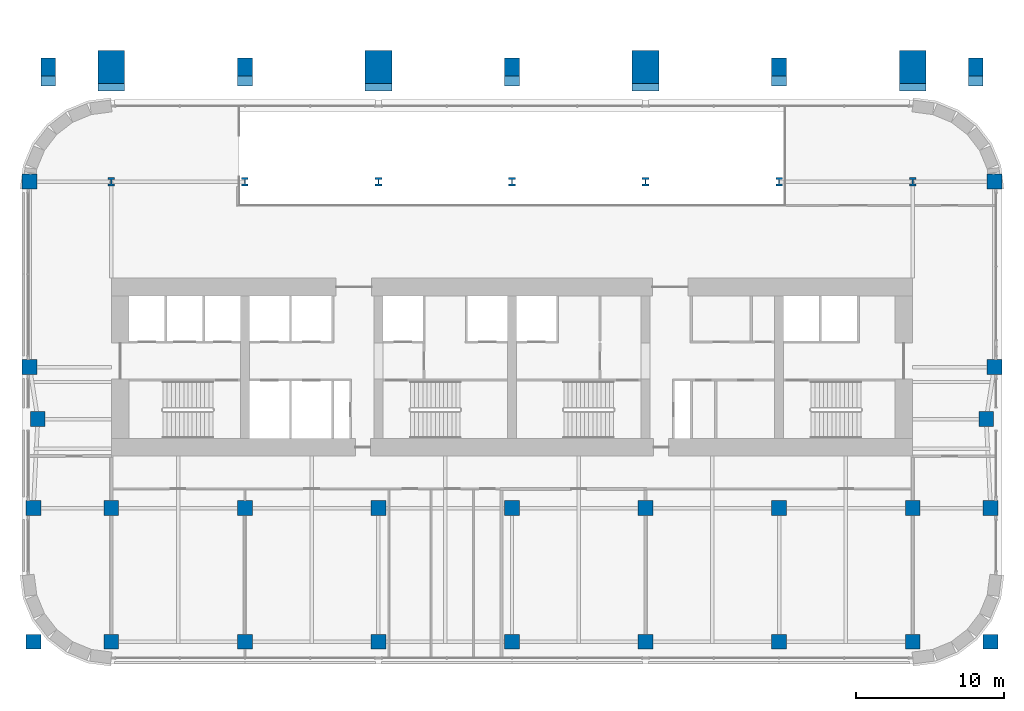
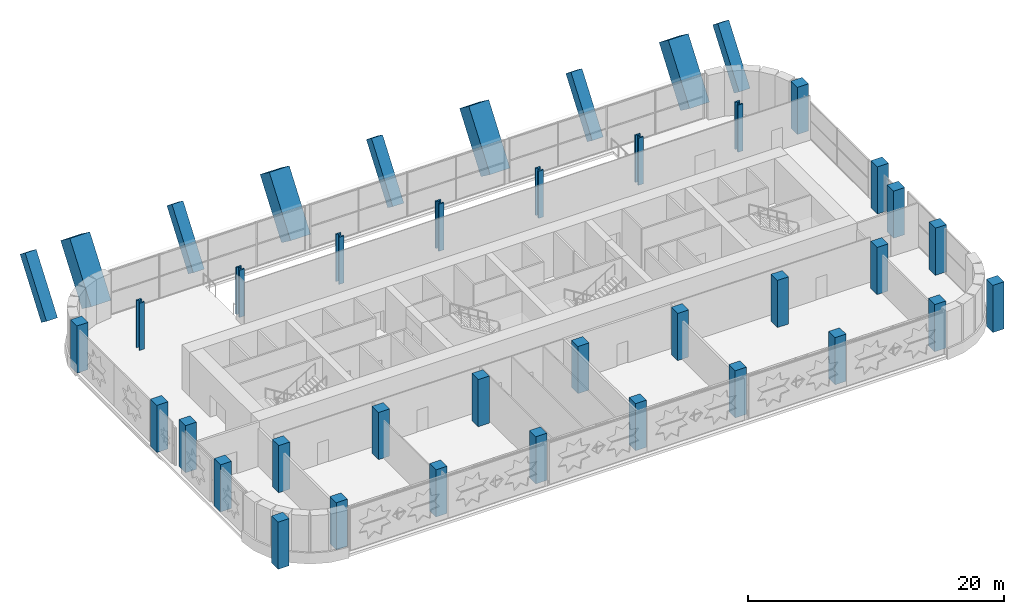
# One storey, part 1 of 21: 40 columns.
"""IFC4 building model written with IfcOpenShell, lengths in metres."""

from ifc_helpers import new_model, si_unit, direction, frame, origin, origin_2d, place, context, subcontext, project, spatial, rectangle, i_section, extrude, material, material_profile, profile_set, type_object, element, save


model = new_model("IFC4")

# Units and contexts
model_context = context("Model", 3, precision=1e-05, world=origin(), true_north=direction((0.0, 1.0)))
body_context = subcontext(model_context, "Body", "Model", "MODEL_VIEW")
ifc_project = project(units=[si_unit("LENGTHUNIT", "METRE"), si_unit("AREAUNIT", "SQUARE_METRE"), si_unit("VOLUMEUNIT", "CUBIC_METRE"), si_unit("PLANEANGLEUNIT", "RADIAN"), si_unit("MASSUNIT", "GRAM", prefix="KILO")], contexts=[model_context])

# Site, building, storey
site_placement = place(None, origin())
site = spatial("IfcSite", under=ifc_project, at=site_placement, CompositionType="ELEMENT")
building_placement = place(site_placement, origin())
building = spatial("IfcBuilding", under=site, at=building_placement, Name="Zellij Exchange Tower", CompositionType="ELEMENT")
storey_placement = place(building_placement, frame((0.0, 0.0, 43.5)))
storey = spatial("IfcBuildingStorey", under=building, at=storey_placement, Name="L07", CompositionType="ELEMENT", Elevation=43.5)

# Columns
ifc_material_1 = material(Name="Concrete C70/85", Category="concrete")
ifc_material_profile_1 = material_profile(ifc_material_1, rectangle(XDim=1.0, YDim=1.0, at=origin_2d()), Name="STR-COLUMN RC1000x1000 C70/85")
ifc_profile_set_1 = profile_set([ifc_material_profile_1], Name="Concrete C70/85")
column_type_1 = type_object("IfcColumnType", Name="STR-COLUMN RC1000x1000 C70/85", PredefinedType="COLUMN", material=ifc_profile_set_1)
for number, where, z_axis, x_axis, name in (
    (1, (-32.25, -26.5, 0.0), (0.0, 0.0, 1.0), (1.0, 0.0, 0.0), "C10"),
    (2, (-27.0, -26.5, 0.0), (0.0, 0.0, 1.0), (1.0, 0.0, 0.0), "C10"),
    (3, (-18.0, -26.5, 0.0), (0.0, 0.0, 1.0), (1.0, 0.0, 0.0), "C10"),
    (4, (-9.0, -26.5, 0.0), (0.0, 0.0, 1.0), (1.0, 0.0, 0.0), "C10"),
    (5, (0.0, -26.5, 0.0), (0.0, 0.0, 1.0), (1.0, 0.0, 0.0), "C10"),
    (6, (9.0, -26.5, 0.0), (0.0, 0.0, 1.0), (1.0, 0.0, 0.0), "C10"),
    (7, (18.0, -26.5, 0.0), (0.0, 0.0, 1.0), (1.0, 0.0, 0.0), "C10"),
    (8, (27.0, -26.5, 0.0), (0.0, 0.0, 1.0), (1.0, 0.0, 0.0), "C10"),
    (9, (32.25, -26.5, 0.0), (0.0, 0.0, 1.0), (1.0, 0.0, 0.0), "C10"),
    (10, (-32.25, -17.5, 0.0), (0.0, 0.0, 1.0), (1.0, 0.0, 0.0), "C10"),
    (11, (-27.0, -17.5, 0.0), (0.0, 0.0, 1.0), (1.0, 0.0, 0.0), "C10"),
    (12, (-18.0, -17.5, 0.0), (0.0, 0.0, 1.0), (1.0, 0.0, 0.0), "C10"),
    (13, (-9.0, -17.5, 0.0), (0.0, 0.0, 1.0), (1.0, 0.0, 0.0), "C10"),
    (14, (0.0, -17.5, 0.0), (0.0, 0.0, 1.0), (1.0, 0.0, 0.0), "C10"),
    (15, (9.0, -17.5, 0.0), (0.0, 0.0, 1.0), (1.0, 0.0, 0.0), "C10"),
    (16, (18.0, -17.5, 0.0), (0.0, 0.0, 1.0), (1.0, 0.0, 0.0), "C10"),
    (17, (27.0, -17.5, 0.0), (0.0, 0.0, 1.0), (1.0, 0.0, 0.0), "C10"),
    (18, (32.25, -17.5, 0.0), (0.0, 0.0, 1.0), (1.0, 0.0, 0.0), "C10"),
    (19, (-31.949951171875, -11.5, 0.0), (0.0, 0.0, 1.0), (1.0, 0.0, 0.0), "C10"),
    (20, (31.949951171875, -11.5, 0.0), (0.0, 0.0, 1.0), (1.0, 0.0, 0.0), "C10"),
    (21, (-32.5, -8.0, 0.0), (0.0, 0.0, 1.0), (1.0, 0.0, 0.0), "C10"),
    (22, (32.5, -8.0, 0.0), (0.0, 0.0, 1.0), (1.0, 0.0, 0.0), "C10"),
    (23, (-32.5, 4.5, 0.0), (0.0, 0.0, 1.0), (1.0, 0.0, 0.0), "C10"),
    (24, (32.5, 4.5, 0.0), (0.0, 0.0, 1.0), (1.0, 0.0, 0.0), "C10"),
):
    element("IfcColumn", number, at=place(storey_placement, frame(where, z_axis=z_axis, x_axis=x_axis)), inside=storey, type_object=column_type_1, Name=name, PredefinedType="COLUMN", context=body_context, shape_type="SweptSolid", body=[
        extrude(rectangle(XDim=1.0, YDim=1.0, at=origin_2d()), origin(), (0.0, 0.0, 1.0), 4.5),
    ])
for number, where, z_axis, x_axis, name in (
    (25, (-31.25, 11.333251953125, 0.0), (0.0, 0.595246316785, 0.803543292147), (-1.0, 0.0, 0.0), "C10"),
    (26, (-18.0, 11.333251953125, 0.0), (0.0, 0.595246316785, 0.803543292147), (-1.0, 0.0, 0.0), "C10"),
    (27, (0.0, 11.333251953125, 0.0), (0.0, 0.595246316785, 0.803543292147), (-1.0, 0.0, 0.0), "C10"),
    (28, (18.0, 11.333251953125, 0.0), (0.0, 0.595246316785, 0.803543292147), (-1.0, 0.0, 0.0), "C10"),
    (29, (31.25, 11.333251953125, 0.0), (0.0, 0.595246316785, 0.803543292147), (-1.0, 0.0, 0.0), "C10"),
):
    element("IfcColumn", number, at=place(storey_placement, frame(where, z_axis=z_axis, x_axis=x_axis)), inside=storey, type_object=column_type_1, Name=name, PredefinedType="COLUMN", context=body_context, shape_type="SweptSolid", body=[
        extrude(rectangle(XDim=1.0, YDim=1.0, at=origin_2d()), origin(), (0.0, 0.0, 1.0), 5.60009765625),
    ])
ifc_material_2 = material(Name="Structural steel ASTM A913 Gr 65", Category="steel")
ifc_material_profile_2 = material_profile(ifc_material_2, i_section(OverallWidth=0.45458984375, OverallDepth=0.56884765625, WebThickness=0.077880859375, FlangeThickness=0.124755859375, at=origin_2d()), Name="W14x730")
ifc_profile_set_2 = profile_set([ifc_material_profile_2], Name="Structural steel ASTM A913 Gr 65")
column_type_2 = type_object("IfcColumnType", Name="STR-COLUMN W14x730", PredefinedType="COLUMN", material=ifc_profile_set_2)
for number, where, z_axis, x_axis, name in (
    (30, (-27.0, 4.5, 0.0), (0.0, 0.0, 1.0), (1.0, 0.0, 0.0), "C7"),
    (31, (-18.0, 4.5, 0.0), (0.0, 0.0, 1.0), (1.0, 0.0, 0.0), "C7"),
    (32, (-9.0, 4.5, 0.0), (0.0, 0.0, 1.0), (1.0, 0.0, 0.0), "C7"),
    (33, (0.0, 4.5, 0.0), (0.0, 0.0, 1.0), (1.0, 0.0, 0.0), "C7"),
    (34, (9.0, 4.5, 0.0), (0.0, 0.0, 1.0), (1.0, 0.0, 0.0), "C7"),
    (35, (18.0, 4.5, 0.0), (0.0, 0.0, 1.0), (1.0, 0.0, 0.0), "C7"),
    (36, (27.0, 4.5, 0.0), (0.0, 0.0, 1.0), (1.0, 0.0, 0.0), "C7"),
):
    element("IfcColumn", number, at=place(storey_placement, frame(where, z_axis=z_axis, x_axis=x_axis)), inside=storey, type_object=column_type_2, Name=name, PredefinedType="COLUMN", context=body_context, shape_type="SweptSolid", body=[
        extrude(i_section(OverallWidth=0.45458984375, OverallDepth=0.56884765625, WebThickness=0.077880859375, FlangeThickness=0.124755859375, at=origin_2d()), origin(), (0.0, 0.0, 1.0), 4.5),
    ])
ifc_material_profile_3 = material_profile(ifc_material_1, rectangle(XDim=1.800048828125, YDim=1.800048828125, at=origin_2d()), Name="STR-MEGA COLUMN RC1800x1800 C70/85")
ifc_profile_set_3 = profile_set([ifc_material_profile_3], Name="Concrete C70/85")
column_type_3 = type_object("IfcColumnType", Name="STR-MEGA COLUMN RC1800x1800 C70/85", PredefinedType="COLUMN", material=ifc_profile_set_3)
for number, where, z_axis, x_axis, name in (
    (37, (-27.0, 11.333251953125, 0.0), (0.0, 0.595246316785, 0.803543292147), (-1.0, 0.0, 0.0), "MC7"),
    (38, (-9.0, 11.333251953125, 0.0), (0.0, 0.595246316785, 0.803543292147), (-1.0, 0.0, 0.0), "MC7"),
    (39, (9.0, 11.333251953125, 0.0), (0.0, 0.595246316785, 0.803543292147), (-1.0, 0.0, 0.0), "MC7"),
    (40, (27.0, 11.333251953125, 0.0), (0.0, 0.595246316785, 0.803543292147), (-1.0, 0.0, 0.0), "MC7"),
):
    element("IfcColumn", number, at=place(storey_placement, frame(where, z_axis=z_axis, x_axis=x_axis)), inside=storey, type_object=column_type_3, Name=name, PredefinedType="COLUMN", context=body_context, shape_type="SweptSolid", body=[
        extrude(rectangle(XDim=1.800048828125, YDim=1.800048828125, at=origin_2d()), origin(), (0.0, 0.0, 1.0), 5.60009765625),
    ])

save(model, "model.ifc")
